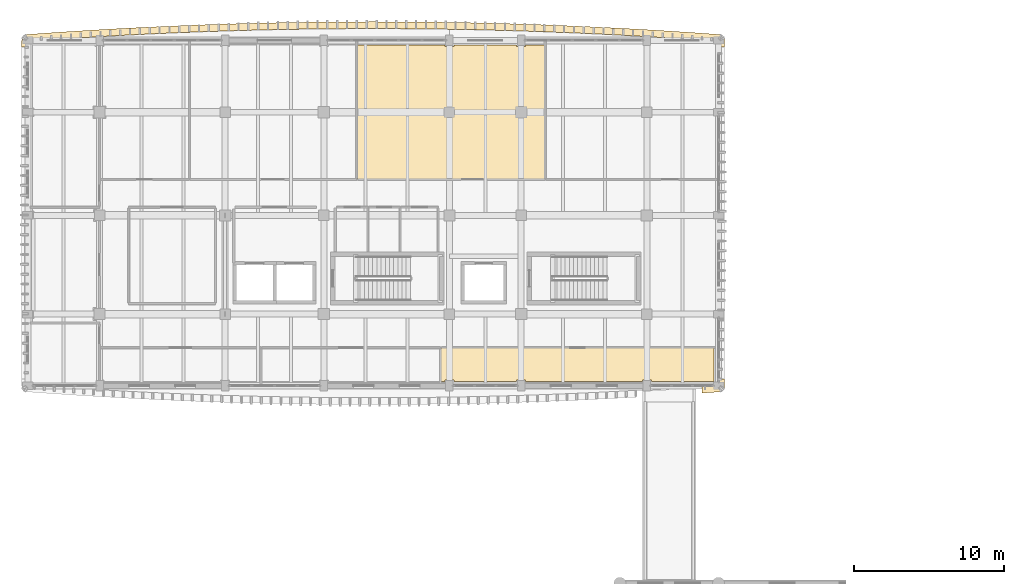
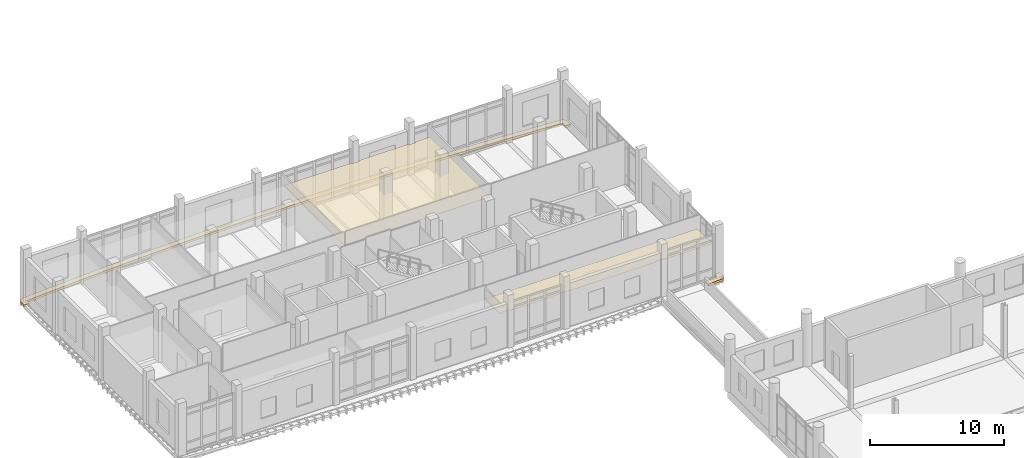
# One storey, part 63 of 76: 4 coverings.
"""IFC4 building model written with IfcOpenShell, lengths in metres."""

from ifc_helpers import new_model, si_unit, direction, frame, origin, place, context, subcontext, project, spatial, polyline, outline, extrude, material, layer, layer_set, type_object, element, save


model = new_model("IFC4")

# Units and contexts
model_context = context("Model", 3, precision=1e-05, world=origin(), true_north=direction((0.0, 1.0)))
body_context = subcontext(model_context, "Body", "Model", "MODEL_VIEW")
ifc_project = project(units=[si_unit("LENGTHUNIT", "METRE"), si_unit("AREAUNIT", "SQUARE_METRE"), si_unit("VOLUMEUNIT", "CUBIC_METRE"), si_unit("PLANEANGLEUNIT", "RADIAN"), si_unit("MASSUNIT", "GRAM", prefix="KILO")], contexts=[model_context])

# Site, building, storey
site_placement = place(None, origin())
site = spatial("IfcSite", under=ifc_project, at=site_placement, CompositionType="ELEMENT")
building_placement = place(site_placement, origin())
building = spatial("IfcBuilding", under=site, at=building_placement, Name="Dornvale Research Institute", CompositionType="ELEMENT")
storey_placement = place(building_placement, frame((0.0, 0.0, 15.0)))
storey = spatial("IfcBuildingStorey", under=building, at=storey_placement, Name="L03", CompositionType="ELEMENT", Elevation=15.0)

# Coverings
ifc_material_1 = material(Name="Mineral-Fibre Acoustic Lay-In Ceiling Tile System")
ifc_layer_1 = layer(ifc_material_1, 0.02001953125)
ifc_layer_set_1 = layer_set([ifc_layer_1], Name="Mineral-Fibre Acoustic Lay-In Ceiling Tile System")
covering_type_1 = type_object("IfcCoveringType", Name="Covering_Acoustic_Ceiling", PredefinedType="CEILING", material=ifc_layer_set_1)
covering_1_placement = place(storey_placement, frame((0.0, 0.0, 2.85009765625)))
element("IfcCovering", 1, at=covering_1_placement, inside=storey, type_object=covering_type_1, Name="L03 Spatial Data Modelling Laboratory suspended ceiling", PredefinedType="CEILING", context=body_context, shape_type="SweptSolid", body=[
    extrude(outline(polyline([(32.699951171875, 121.699951171875), (33.300048828125, 121.699951171875), (33.300048828125, 121.800048828125), (34.580078125, 121.800048828125), (34.580078125, 112.820068359375), (22.02001953125, 112.820068359375), (22.02001953125, 121.800048828125), (27.89990234375, 121.800048828125), (27.89990234375, 121.699951171875), (28.5, 121.699951171875), (28.5, 121.800048828125), (32.699951171875, 121.800048828125), (32.699951171875, 121.699951171875)])), origin(), (0.0, 0.0, 1.0), 0.02001953125),
])
covering_2_placement = place(storey_placement, frame((0.0, 0.0, 2.85009765625)))
element("IfcCovering", 2, at=covering_2_placement, inside=storey, type_object=covering_type_1, Name="L03 Principal Investigator Office L03-S suspended ceiling", PredefinedType="CEILING", context=body_context, shape_type="SweptSolid", body=[
    extrude(outline(polyline([(41.10009765625, 99.300048828125), (33.300048828125, 99.300048828125), (33.300048828125, 99.39990234375), (32.699951171875, 99.39990234375), (32.699951171875, 99.300048828125), (28.5, 99.300048828125), (28.5, 99.39990234375), (27.89990234375, 99.39990234375), (27.89990234375, 99.300048828125), (27.6201171875, 99.300048828125), (27.6201171875, 101.530029296875), (45.89990234375, 101.530029296875), (45.89990234375, 99.300048828125), (45.800048828125, 99.300048828125), (41.699951171875, 99.300048828125), (41.699951171875, 99.39990234375), (41.10009765625, 99.39990234375), (41.10009765625, 99.300048828125)])), origin(), (0.0, 0.0, 1.0), 0.02001953125),
])
ifc_material_2 = material(Name="Polychrome Glazed Terracotta Visor Rib Ceramic", Category="masonry")
ifc_layer_2 = layer(ifc_material_2, 0.199951171875)
ifc_layer_set_2 = layer_set([ifc_layer_2], Name="Polychrome Glazed Terracotta Visor Rib Ceramic")
covering_type_2 = type_object("IfcCoveringType", Name="Covering_VisorBrim_Shelf", PredefinedType="CLADDING", material=ifc_layer_set_2)
covering_3_placement = place(storey_placement, frame((0.0, 0.0, -0.280029296875)))
element("IfcCovering", 3, at=covering_3_placement, inside=storey, type_object=covering_type_2, Name="L03 V5 canted bowed-brim visor hood #13", PredefinedType="CLADDING", context=body_context, shape_type="SweptSolid", body=[
    extrude(outline(polyline([(46.603271484375, 99.0), (46.5751953125, 98.852294921875), (46.4951171875, 98.72509765625), (46.373779296875, 98.63623046875), (46.228515625, 98.597900390625), (45.10009765625, 98.517578125), (45.10009765625, 98.982177734375), (46.139892578125, 99.055908203125), (46.139892578125, 99.449951171875), (46.603271484375, 99.449951171875), (46.603271484375, 99.0)])), origin(), (0.0, 0.0, 1.0), 0.199951171875),
])
covering_4_placement = place(storey_placement, frame((0.0, 0.0, -0.280029296875)))
element("IfcCovering", 4, at=covering_4_placement, inside=storey, type_object=covering_type_2, Name="L03 V5 canted bowed-brim visor hood #15", PredefinedType="CLADDING", context=body_context, shape_type="SweptSolid", body=[
    extrude(outline(polyline([(-0.028564453125, 122.502197265625), (1.62158203125, 122.619384765625), (1.62353515625, 122.619384765625), (3.273681640625, 122.727783203125), (3.275634765625, 122.72802734375), (4.92578125, 122.827880859375), (4.927734375, 122.827880859375), (6.577880859375, 122.9189453125), (6.579833984375, 122.9189453125), (8.22998046875, 123.00146484375), (8.23193359375, 123.00146484375), (9.882080078125, 123.0751953125), (9.884033203125, 123.0751953125), (11.5341796875, 123.140380859375), (11.5361328125, 123.140380859375), (13.186279296875, 123.197021484375), (13.188232421875, 123.197021484375), (14.83837890625, 123.24462890625), (14.840576171875, 123.24462890625), (16.490478515625, 123.28369140625), (16.49267578125, 123.28369140625), (18.142578125, 123.314208984375), (18.144775390625, 123.314208984375), (19.794677734375, 123.3359375), (19.796875, 123.3359375), (21.44677734375, 123.348876953125), (21.448974609375, 123.348876953125), (23.098876953125, 123.353271484375), (23.10107421875, 123.353271484375), (24.751220703125, 123.348876953125), (24.753173828125, 123.348876953125), (26.4033203125, 123.3359375), (26.4052734375, 123.3359375), (28.055419921875, 123.314208984375), (28.057373046875, 123.314208984375), (29.70751953125, 123.28369140625), (29.70947265625, 123.28369140625), (31.359619140625, 123.24462890625), (31.36181640625, 123.24462890625), (33.01171875, 123.197021484375), (33.013916015625, 123.197021484375), (34.663818359375, 123.140380859375), (34.666015625, 123.140380859375), (36.31591796875, 123.0751953125), (36.318115234375, 123.0751953125), (37.968017578125, 123.00146484375), (37.97021484375, 123.00146484375), (39.6201171875, 122.9189453125), (39.622314453125, 122.9189453125), (41.272216796875, 122.827880859375), (41.2744140625, 122.827880859375), (42.92431640625, 122.72802734375), (42.926513671875, 122.727783203125), (44.576416015625, 122.619384765625), (44.57861328125, 122.619384765625), (46.228515625, 122.502197265625), (46.373779296875, 122.4638671875), (46.4951171875, 122.374755859375), (46.5751953125, 122.247802734375), (46.603271484375, 122.10009765625), (46.603271484375, 121.64990234375), (46.139892578125, 121.64990234375), (46.139892578125, 122.044189453125), (44.5458984375, 122.1572265625), (42.896240234375, 122.265625), (41.24658203125, 122.365478515625), (39.596923828125, 122.456298828125), (37.947265625, 122.538818359375), (36.297607421875, 122.612548828125), (34.647705078125, 122.677490234375), (32.998046875, 122.73388671875), (31.348388671875, 122.781494140625), (29.69873046875, 122.820556640625), (28.049072265625, 122.85107421875), (26.3994140625, 122.872802734375), (24.749755859375, 122.8857421875), (23.10009765625, 122.889892578125), (21.4501953125, 122.8857421875), (19.800537109375, 122.872802734375), (18.15087890625, 122.85107421875), (16.501220703125, 122.820556640625), (14.8515625, 122.781494140625), (13.201904296875, 122.73388671875), (11.55224609375, 122.677490234375), (9.902587890625, 122.612548828125), (8.252685546875, 122.538818359375), (6.60302734375, 122.456298828125), (4.95361328125, 122.365478515625), (3.3037109375, 122.265625), (1.654052734375, 122.1572265625), (0.06005859375, 122.044189453125), (0.06005859375, 121.64990234375), (-0.4033203125, 121.64990234375), (-0.4033203125, 122.10009765625), (-0.375244140625, 122.247802734375), (-0.294921875, 122.374755859375), (-0.173828125, 122.4638671875), (-0.028564453125, 122.502197265625)])), origin(), (0.0, 0.0, 1.0), 0.199951171875),
])

save(model, "model.ifc")
